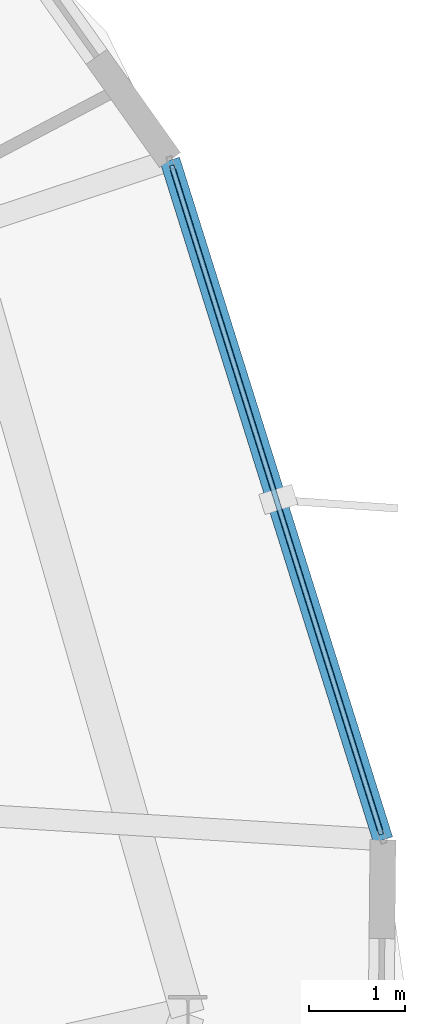
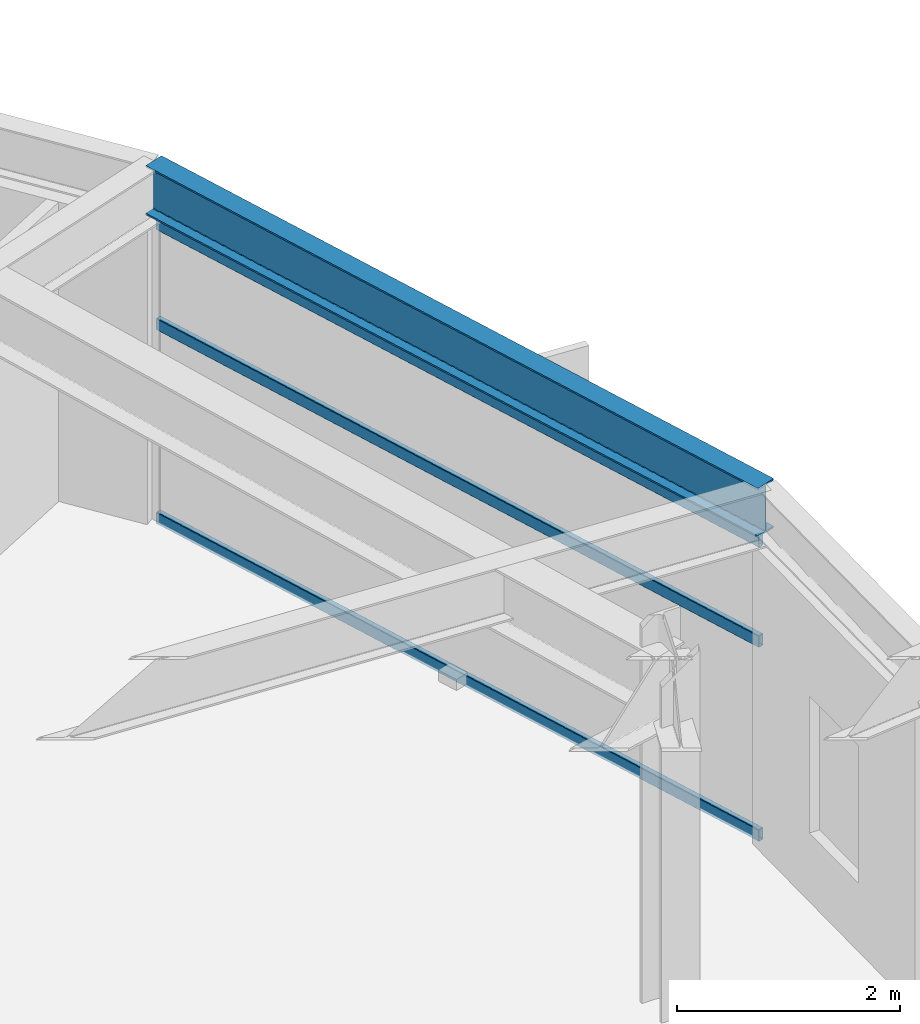
# One storey, part 12 of 19: 3 members, 1 beam, 1 element without a shape of its own.
"""IFC4 building model written with IfcOpenShell, lengths in metres."""

from ifc_helpers import new_model, si_unit, direction, frame, origin, origin_2d, place, context, subcontext, project, spatial, hollow_rectangle, i_section, extrude, material, layer, layer_set, material_profile, profile_set, type_object, element, aggregate, save


model = new_model("IFC4")

# Units and contexts
model_context = context("Model", 3, precision=1e-05, world=origin(), true_north=direction((0.0, 1.0)))
body_context = subcontext(model_context, "Body", "Model", "MODEL_VIEW")
ifc_project = project(units=[si_unit("LENGTHUNIT", "METRE"), si_unit("AREAUNIT", "SQUARE_METRE"), si_unit("VOLUMEUNIT", "CUBIC_METRE"), si_unit("PLANEANGLEUNIT", "RADIAN"), si_unit("MASSUNIT", "GRAM", prefix="KILO")], contexts=[model_context])

# Site, building, storey
site_placement = place(None, origin())
site = spatial("IfcSite", under=ifc_project, at=site_placement, CompositionType="ELEMENT")
building_placement = place(site_placement, origin())
building = spatial("IfcBuilding", under=site, at=building_placement, Name="Soratama Intermodal Tower", CompositionType="ELEMENT")
storey_placement = place(building_placement, frame((0.0, 0.0, 297.25)))
storey = spatial("IfcBuildingStorey", under=building, at=storey_placement, Name="L75", CompositionType="ELEMENT", Elevation=297.25)

# Beam
ifc_material_1 = material(Name="Structural steel ASTM A992 Grade 50", Category="steel")
ifc_material_profile_1 = material_profile(ifc_material_1, i_section(OverallWidth=0.2099609375, OverallDepth=0.537109375, WebThickness=0.010986328125, FlangeThickness=0.017333984375, FilletRadius=0.012939453125, at=origin_2d()), Name="W21X68")
ifc_profile_set_1 = profile_set([ifc_material_profile_1], Name="Structural steel ASTM A992 Grade 50")
beam_type = type_object("IfcBeamType", Name="BM-SPN-W21X68", PredefinedType="SPANDREL", material=ifc_profile_set_1)
beam_placement = place(storey_placement, frame((58.73291015625, 26.30908203125, 3.62646484375), z_axis=(-0.299107208556, 0.954219512371, 0.0), x_axis=(-0.954219512371, -0.299107208556, 0.0)))
element("IfcBeam", 1, at=beam_placement, inside=storey, type_object=beam_type, Name="BS-L75-F09", PredefinedType="SPANDREL", context=body_context, shape_type="SweptSolid", body=[
    extrude(i_section(OverallWidth=0.2099609375, OverallDepth=0.537109375, WebThickness=0.010986328125, FlangeThickness=0.017333984375, FilletRadius=0.012939453125, at=origin_2d()), origin(), (0.0, 0.0, 1.0), 7.448974609375),
])

# Curtain wall, members
ifc_material_2 = material(Name="Double-glazed aluminium curtain wall", Category="aluminium")
ifc_layer = layer(ifc_material_2, 0.159912109375)
ifc_layer_set = layer_set([ifc_layer], Name="Double-glazed aluminium curtain wall")
curtain_wall_type = type_object("IfcCurtainWallType", Name="CW-SYS-6", PredefinedType="NOTDEFINED", material=ifc_layer_set)
curtain_wall_placement = place(storey_placement, origin())
curtain_wall = element("IfcCurtainWall", 2, at=curtain_wall_placement, inside=storey, type_object=curtain_wall_type, Name="L75 Faceted Curtain Wall F09", PredefinedType="NOTDEFINED")
ifc_material_3 = material(Name="Anodised aluminium AA 6063-T6", Category="aluminium")
ifc_material_profile_2 = material_profile(ifc_material_3, hollow_rectangle(XDim=0.06005859375, YDim=0.1298828125, WallThickness=0.0048828125, InnerFilletRadius=0.0048828125, OuterFilletRadius=0.010009765625, at=origin_2d()), Name="CWT130X60X5")
ifc_profile_set_2 = profile_set([ifc_material_profile_2], Name="Anodised aluminium AA 6063-T6")
member_type = type_object("IfcMemberType", Name="TT-CWT-2", PredefinedType="USERDEFINED", material=ifc_profile_set_2)
member_1_placement = place(storey_placement, frame((58.71484375, 26.366455078125, 0.030029296875), z_axis=(-0.299058213832, 0.954234868751, 0.0), x_axis=(-0.954234868751, -0.299058213832, 0.0)))
member_1 = element("IfcMember", 3, at=member_1_placement, type_object=member_type, Name="CW-6 transom 1.1", ObjectType="TRANSOM", PredefinedType="USERDEFINED", context=body_context, shape_type="SweptSolid", body=[
    extrude(hollow_rectangle(XDim=0.06005859375, YDim=0.1298828125, WallThickness=0.0048828125, InnerFilletRadius=0.0048828125, OuterFilletRadius=0.010009765625, at=origin_2d()), origin(), (0.0, 0.0, 1.0), 7.329345703125),
])
member_2_placement = place(storey_placement, frame((58.71484375, 26.366455078125, 2.14990234375), z_axis=(-0.299058213832, 0.954234868751, 0.0), x_axis=(-0.954234868751, -0.299058213832, 0.0)))
member_2 = element("IfcMember", 4, at=member_2_placement, type_object=member_type, Name="CW-6 transom 1.2", ObjectType="TRANSOM", PredefinedType="USERDEFINED", context=body_context, shape_type="SweptSolid", body=[
    extrude(hollow_rectangle(XDim=0.06005859375, YDim=0.1298828125, WallThickness=0.0048828125, InnerFilletRadius=0.0048828125, OuterFilletRadius=0.010009765625, at=origin_2d()), origin(), (0.0, 0.0, 1.0), 7.329345703125),
])
member_3_placement = place(storey_placement, frame((58.71484375, 26.366455078125, 3.243896484375), z_axis=(-0.299058213832, 0.954234868751, 0.0), x_axis=(-0.954234868751, -0.299058213832, 0.0)))
member_3 = element("IfcMember", 5, at=member_3_placement, type_object=member_type, Name="CW-6 transom 1.3", ObjectType="TRANSOM", PredefinedType="USERDEFINED", context=body_context, shape_type="SweptSolid", body=[
    extrude(hollow_rectangle(XDim=0.06005859375, YDim=0.1298828125, WallThickness=0.0048828125, InnerFilletRadius=0.0048828125, OuterFilletRadius=0.010009765625, at=origin_2d()), origin(), (0.0, 0.0, 1.0), 7.329345703125),
])
aggregate(curtain_wall, [member_1, member_2, member_3])

save(model, "model.ifc")
